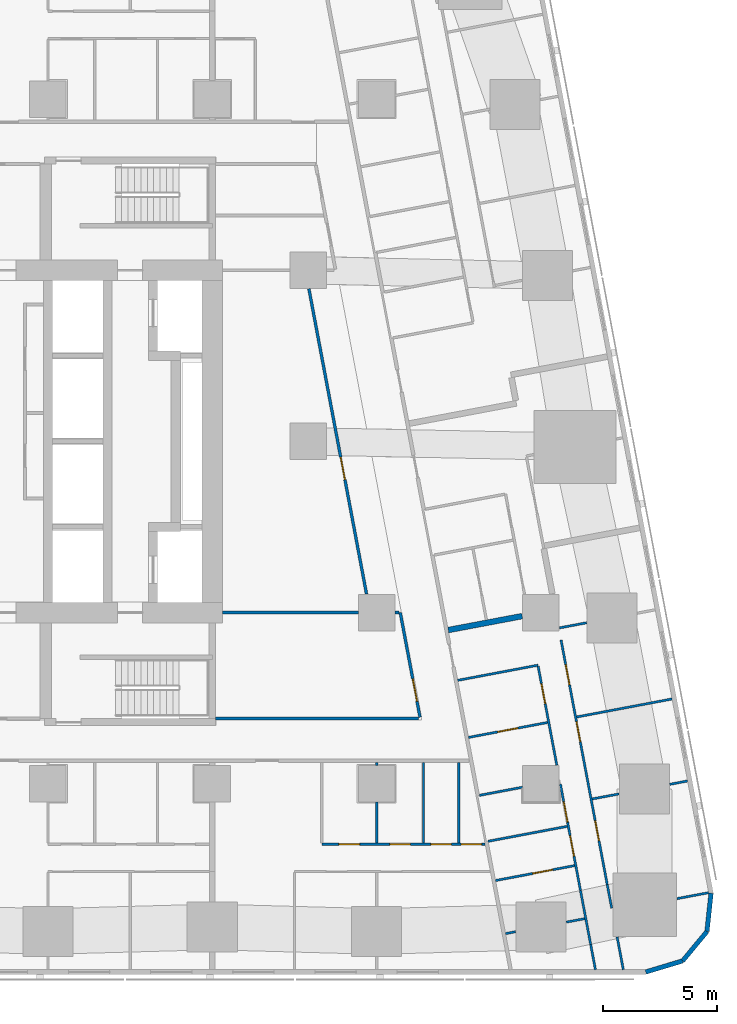
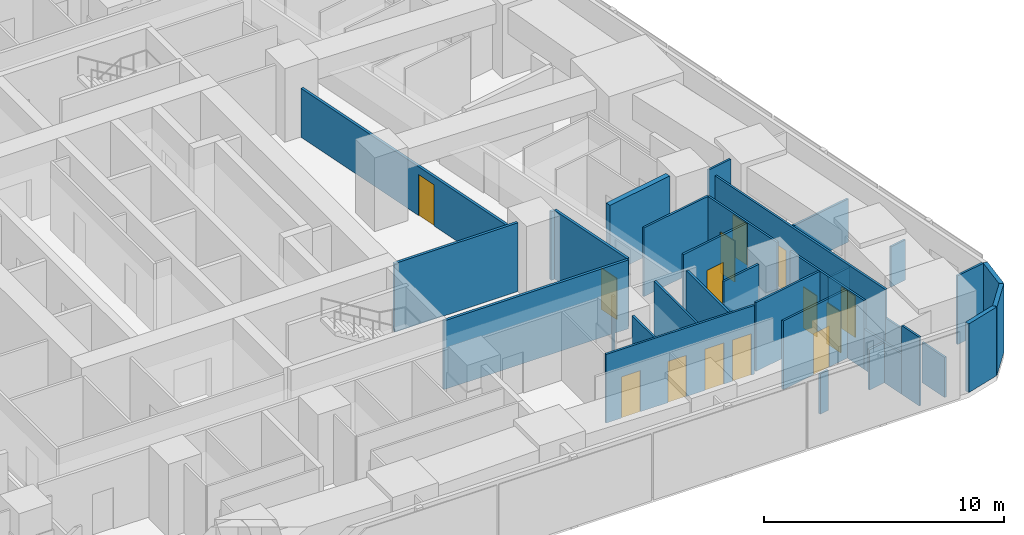
# One storey, part 7 of 17: 33 walls, 14 doors, 14 openings.
"""IFC4 building model written with IfcOpenShell, lengths in metres."""

from ifc_helpers import new_model, si_unit, direction, frame, frame_2d, origin, place, context, subcontext, project, spatial, rectangle, extrude, material, layer, layer_set, type_object, element, fill, save


model = new_model("IFC4")

# Units and contexts
model_context = context("Model", 3, precision=1e-05, world=origin(), true_north=direction((0.0, 1.0)))
body_context = subcontext(model_context, "Body", "Model", "MODEL_VIEW")
ifc_project = project(units=[si_unit("LENGTHUNIT", "METRE"), si_unit("AREAUNIT", "SQUARE_METRE"), si_unit("VOLUMEUNIT", "CUBIC_METRE"), si_unit("PLANEANGLEUNIT", "RADIAN"), si_unit("MASSUNIT", "GRAM", prefix="KILO")], contexts=[model_context])

# Site, building, storey
site_placement = place(None, origin())
site = spatial("IfcSite", under=ifc_project, at=site_placement, CompositionType="ELEMENT")
building_placement = place(site_placement, origin())
building = spatial("IfcBuilding", under=site, at=building_placement, Name="Sheger Commons Tower", CompositionType="ELEMENT")
storey_placement = place(building_placement, frame((0.0, 0.0, 111.64990234375)))
storey = spatial("IfcBuildingStorey", under=building, at=storey_placement, Name="L28", CompositionType="ELEMENT", Elevation=111.64990234375)

# Walls
ifc_material_1 = material(Name="Dense concrete block masonry, plastered both sides (separating wall between flats)", Category="masonry")
ifc_layer_1 = layer(ifc_material_1, 0.25)
ifc_layer_set_1 = layer_set([ifc_layer_1], Name="DEMISING WALL 250")
wall_type_1 = type_object("IfcWallType", Name="DEMISING WALL 250", PredefinedType="SOLIDWALL", material=ifc_layer_set_1)
wall_1_placement = place(storey_placement, frame((42.3759765625, 14.843994140625, 0.0), z_axis=(0.0, 0.0, 1.0), x_axis=(-0.982610440948, -0.18567908159, 0.0)))
element("IfcWall", 1, at=wall_1_placement, inside=storey, type_object=wall_type_1, Name="Demising wall L28", PredefinedType="SOLIDWALL", context=body_context, shape_type="SweptSolid", body=[
    extrude(rectangle(XDim=3.29638671875, YDim=0.25, at=frame_2d((1.648193359375, 0.0))), origin(), (0.0, 0.0, 1.0), 3.5),
])
ifc_material_2 = material(Name="Rendered concrete block masonry, dark grey", Category="masonry")
ifc_layer_2 = layer(ifc_material_2, 0.199951171875)
ifc_layer_set_2 = layer_set([ifc_layer_2], Name="FACADE WALL 200")
wall_type_2 = type_object("IfcWallType", Name="FACADE WALL 200", PredefinedType="SOLIDWALL", material=ifc_layer_set_2)
wall_2_placement = place(storey_placement, frame((47.791015625, -0.75, 0.0), z_axis=(0.0, 0.0, 1.0), x_axis=(0.957455232626, 0.288581838509, 0.0)))
element("IfcWall", 2, at=wall_2_placement, inside=storey, type_object=wall_type_2, Name="Facade wall L28", PredefinedType="SOLIDWALL", context=body_context, shape_type="SweptSolid", body=[
    extrude(rectangle(XDim=1.687744140625, YDim=0.199951171875, at=frame_2d((0.84375, 0.0))), origin(), (0.0, 0.0, 1.0), 3.5),
])
wall_3_placement = place(storey_placement, frame((49.406982421875, -0.262939453125, 0.0), z_axis=(0.0, 0.0, 1.0), x_axis=(0.638042593423, 0.770001070764, 0.0)))
element("IfcWall", 3, at=wall_3_placement, inside=storey, type_object=wall_type_2, Name="Facade wall L28", PredefinedType="SOLIDWALL", context=body_context, shape_type="SweptSolid", body=[
    extrude(rectangle(XDim=1.672607421875, YDim=0.199951171875, at=frame_2d((0.83642578125, 0.0))), origin(), (0.0, 0.0, 1.0), 3.5),
])
wall_4_placement = place(storey_placement, frame((50.47412109375, 1.02490234375, 0.0), z_axis=(0.0, 0.0, 1.0), x_axis=(0.106047815515, 0.994361031429, 0.0)))
element("IfcWall", 4, at=wall_4_placement, inside=storey, type_object=wall_type_2, Name="Facade wall L28", PredefinedType="SOLIDWALL", context=body_context, shape_type="SweptSolid", body=[
    extrude(rectangle(XDim=1.6875, YDim=0.199951171875, at=frame_2d((0.84375, 0.0))), origin(), (0.0, 0.0, 1.0), 3.5),
])

# Wall, openings, doors
ifc_material_3 = material(Name="Gypsum board on steel studs", Category="steel")
ifc_layer_3 = layer(ifc_material_3, 0.10009765625)
ifc_layer_set_3 = layer_set([ifc_layer_3], Name="PARTITION 100")
wall_type_3 = type_object("IfcWallType", Name="PARTITION 100", PredefinedType="PARTITIONING", material=ifc_layer_set_3)
wall_5_placement = place(storey_placement, frame((40.7470703125, 4.85009765625, 0.0), z_axis=(0.0, 0.0, 1.0), x_axis=(-1.0, 0.0, 0.0)))
wall_5 = element("IfcWall", 5, at=wall_5_placement, inside=storey, type_object=wall_type_3, Name="Partition L28", PredefinedType="PARTITIONING", context=body_context, shape_type="SweptSolid", body=[
    extrude(rectangle(XDim=7.14794921875, YDim=0.10009765625, at=frame_2d((3.573974609375, 0.0))), origin(), (0.0, 0.0, 1.0), 3.5),
])
opening_1_placement = place(wall_5_placement, frame((5.498046875, 0.0, 0.0)))
opening_1 = element("IfcOpeningElement", 6, at=opening_1_placement, cuts=wall_5, Name="Opening D2", PredefinedType="OPENING", context=body_context, shape_type="SweptSolid", body=[
    extrude(rectangle(XDim=0.89990234375, YDim=2.10009765625, at=frame_2d((0.449951171875, 1.050048828125))), frame((0.0, 0.06005859375, 0.0), z_axis=(0.0, -1.0, 0.0), x_axis=(1.0, 0.0, 0.0)), (0.0, 0.0, 1.0), 0.1201171875),
])
opening_2_placement = place(wall_5_placement, frame((3.27197265625, 0.0, 0.0)))
opening_2 = element("IfcOpeningElement", 7, at=opening_2_placement, cuts=wall_5, Name="Opening D2", PredefinedType="OPENING", context=body_context, shape_type="SweptSolid", body=[
    extrude(rectangle(XDim=0.89990234375, YDim=2.10009765625, at=frame_2d((0.449951171875, 1.050048828125))), frame((0.0, 0.06005859375, 0.0), z_axis=(0.0, -1.0, 0.0), x_axis=(1.0, 0.0, 0.0)), (0.0, 0.0, 1.0), 0.1201171875),
])
opening_3_placement = place(wall_5_placement, frame((0.14990234375, 0.0, 0.0)))
opening_3 = element("IfcOpeningElement", 8, at=opening_3_placement, cuts=wall_5, Name="Opening D2", PredefinedType="OPENING", context=body_context, shape_type="SweptSolid", body=[
    extrude(rectangle(XDim=0.89990234375, YDim=2.10009765625, at=frame_2d((0.449951171875, 1.050048828125))), frame((0.0, 0.06005859375, 0.0), z_axis=(0.0, -1.0, 0.0), x_axis=(1.0, 0.0, 0.0)), (0.0, 0.0, 1.0), 0.1201171875),
])
opening_4_placement = place(wall_5_placement, frame((1.471923828125, 0.0, 0.0)))
opening_4 = element("IfcOpeningElement", 9, at=opening_4_placement, cuts=wall_5, Name="Opening D2", PredefinedType="OPENING", context=body_context, shape_type="SweptSolid", body=[
    extrude(rectangle(XDim=0.89990234375, YDim=2.10009765625, at=frame_2d((0.449951171875, 1.050048828125))), frame((0.0, 0.06005859375, 0.0), z_axis=(0.0, -1.0, 0.0), x_axis=(1.0, 0.0, 0.0)), (0.0, 0.0, 1.0), 0.1201171875),
])
ifc_material_4 = material(Name="Timber door set", Category="wood")
door_type_1 = type_object("IfcDoorType", Name="INTERNAL DOOR 900x2100", OperationType="NOTDEFINED", PredefinedType="DOOR", material=ifc_material_4)
door_1_placement = place(opening_1_placement, origin())
door_1 = element("IfcDoor", 10, at=door_1_placement, inside=storey, type_object=door_type_1, Name="Laundry room door", OperationType="SINGLE_SWING_LEFT", OverallHeight=2.10009765625, OverallWidth=0.89990234375, PredefinedType="DOOR", context=body_context, shape_type="SweptSolid", body=[
    extrude(rectangle(XDim=0.89990234375, YDim=2.10009765625, at=frame_2d((0.449951171875, 1.050048828125))), frame((0.0, 0.02490234375, 0.0), z_axis=(0.0, -1.0, 0.0), x_axis=(1.0, 0.0, 0.0)), (0.0, 0.0, 1.0), 0.050048828125),
])
fill(opening_1, door_1)
door_2_placement = place(opening_2_placement, origin())
door_2 = element("IfcDoor", 11, at=door_2_placement, inside=storey, type_object=door_type_1, Name="Bathroom door", OperationType="SINGLE_SWING_RIGHT", OverallHeight=2.10009765625, OverallWidth=0.89990234375, PredefinedType="DOOR", context=body_context, shape_type="SweptSolid", body=[
    extrude(rectangle(XDim=0.89990234375, YDim=2.10009765625, at=frame_2d((0.449951171875, 1.050048828125))), frame((0.0, 0.02490234375, 0.0), z_axis=(0.0, -1.0, 0.0), x_axis=(1.0, 0.0, 0.0)), (0.0, 0.0, 1.0), 0.050048828125),
])
fill(opening_2, door_2)
door_3_placement = place(opening_3_placement, origin())
door_3 = element("IfcDoor", 12, at=door_3_placement, inside=storey, type_object=door_type_1, Name="Laundry room door", OperationType="SINGLE_SWING_RIGHT", OverallHeight=2.10009765625, OverallWidth=0.89990234375, PredefinedType="DOOR", context=body_context, shape_type="SweptSolid", body=[
    extrude(rectangle(XDim=0.89990234375, YDim=2.10009765625, at=frame_2d((0.449951171875, 1.050048828125))), frame((0.0, 0.02490234375, 0.0), z_axis=(0.0, -1.0, 0.0), x_axis=(1.0, 0.0, 0.0)), (0.0, 0.0, 1.0), 0.050048828125),
])
fill(opening_3, door_3)
door_4_placement = place(opening_4_placement, origin())
door_4 = element("IfcDoor", 13, at=door_4_placement, inside=storey, type_object=door_type_1, Name="Store door", OperationType="SINGLE_SWING_LEFT", OverallHeight=2.10009765625, OverallWidth=0.89990234375, PredefinedType="DOOR", context=body_context, shape_type="SweptSolid", body=[
    extrude(rectangle(XDim=0.89990234375, YDim=2.10009765625, at=frame_2d((0.449951171875, 1.050048828125))), frame((0.0, 0.02490234375, 0.0), z_axis=(0.0, -1.0, 0.0), x_axis=(1.0, 0.0, 0.0)), (0.0, 0.0, 1.0), 0.050048828125),
])
fill(opening_4, door_4)

# Walls
wall_6_placement = place(storey_placement, frame((36.0, 4.89990234375, 0.0), z_axis=(0.0, 0.0, 1.0), x_axis=(0.0, 1.0, 0.0)))
element("IfcWall", 14, at=wall_6_placement, inside=storey, type_object=wall_type_3, Name="Partition L28", PredefinedType="PARTITIONING", context=body_context, shape_type="SweptSolid", body=[
    extrude(rectangle(XDim=1.799072265625, YDim=0.10009765625, at=frame_2d((0.8994140625, 0.0))), origin(), (0.0, 0.0, 1.0), 3.5),
])
wall_7_placement = place(storey_placement, frame((36.0, 8.301025390625, 0.0), z_axis=(0.0, 0.0, 1.0), x_axis=(0.0, 1.0, 0.0)))
element("IfcWall", 15, at=wall_7_placement, inside=storey, type_object=wall_type_3, Name="Partition L28", PredefinedType="PARTITIONING", context=body_context, shape_type="SweptSolid", body=[
    extrude(rectangle(XDim=0.1240234375, YDim=0.10009765625, at=frame_2d((0.06201171875, 0.0))), origin(), (0.0, 0.0, 1.0), 3.5),
])
for number, where, z_axis, x_axis, name in (
    (16, (39.60009765625, 4.89990234375, 0.0), (0.0, 0.0, 1.0), (0.0, 1.0, 0.0), "Partition L28"),
    (17, (38.050048828125, 4.89990234375, 0.0), (0.0, 0.0, 1.0), (0.0, 1.0, 0.0), "Partition L28"),
):
    element("IfcWall", number, at=place(storey_placement, frame(where, z_axis=z_axis, x_axis=x_axis)), inside=storey, type_object=wall_type_3, Name=name, PredefinedType="PARTITIONING", context=body_context, shape_type="SweptSolid", body=[
        extrude(rectangle(XDim=3.525146484375, YDim=0.10009765625, at=frame_2d((1.7626953125, 0.0))), origin(), (0.0, 0.0, 1.0), 3.5),
    ])

# Wall, openings, doors
wall_8_placement = place(storey_placement, frame((44.080078125, 13.7939453125, 0.0), z_axis=(0.0, 0.0, 1.0), x_axis=(0.185608455357, -0.982623784212, 0.0)))
wall_8 = element("IfcWall", 18, at=wall_8_placement, inside=storey, type_object=wall_type_3, Name="Partition L28", PredefinedType="PARTITIONING", context=body_context, shape_type="SweptSolid", body=[
    extrude(rectangle(XDim=10.909423828125, YDim=0.10009765625, at=frame_2d((5.45458984375, 0.0))), origin(), (0.0, 0.0, 1.0), 3.5),
])
opening_5_placement = place(wall_8_placement, frame((1.093994140625, 0.0, 0.0)))
opening_5 = element("IfcOpeningElement", 19, at=opening_5_placement, cuts=wall_8, Name="Opening D2", PredefinedType="OPENING", context=body_context, shape_type="SweptSolid", body=[
    extrude(rectangle(XDim=0.89990234375, YDim=2.10009765625, at=frame_2d((0.449951171875, 1.050048828125))), frame((0.0, 0.06005859375, 0.0), z_axis=(0.0, -1.0, 0.0), x_axis=(1.0, 0.0, 0.0)), (0.0, 0.0, 1.0), 0.1201171875),
])
opening_6_placement = place(wall_8_placement, frame((3.638916015625, 0.0, 0.0)))
opening_6 = element("IfcOpeningElement", 20, at=opening_6_placement, cuts=wall_8, Name="Opening D2", PredefinedType="OPENING", context=body_context, shape_type="SweptSolid", body=[
    extrude(rectangle(XDim=0.89990234375, YDim=2.10009765625, at=frame_2d((0.449951171875, 1.050048828125))), frame((0.0, 0.06005859375, 0.0), z_axis=(0.0, -1.0, 0.0), x_axis=(1.0, 0.0, 0.0)), (0.0, 0.0, 1.0), 0.1201171875),
])
opening_7_placement = place(wall_8_placement, frame((8.050048828125, 0.0, 0.0)))
opening_7 = element("IfcOpeningElement", 21, at=opening_7_placement, cuts=wall_8, Name="Opening D2", PredefinedType="OPENING", context=body_context, shape_type="SweptSolid", body=[
    extrude(rectangle(XDim=0.89990234375, YDim=2.10009765625, at=frame_2d((0.449951171875, 1.050048828125))), frame((0.0, 0.06005859375, 0.0), z_axis=(0.0, -1.0, 0.0), x_axis=(1.0, 0.0, 0.0)), (0.0, 0.0, 1.0), 0.1201171875),
])
door_5_placement = place(opening_5_placement, origin())
door_5 = element("IfcDoor", 22, at=door_5_placement, inside=storey, type_object=door_type_1, Name="Main bedroom door", OperationType="SINGLE_SWING_LEFT", OverallHeight=2.10009765625, OverallWidth=0.89990234375, PredefinedType="DOOR", context=body_context, shape_type="SweptSolid", body=[
    extrude(rectangle(XDim=0.89990234375, YDim=2.10009765625, at=frame_2d((0.449951171875, 1.050048828125))), frame((0.0, 0.02490234375, 0.0), z_axis=(0.0, -1.0, 0.0), x_axis=(1.0, 0.0, 0.0)), (0.0, 0.0, 1.0), 0.050048828125),
])
fill(opening_5, door_5)
door_6_placement = place(opening_6_placement, origin())
door_6 = element("IfcDoor", 23, at=door_6_placement, inside=storey, type_object=door_type_1, Name="Bedroom 2 door", OperationType="SINGLE_SWING_LEFT", OverallHeight=2.10009765625, OverallWidth=0.89990234375, PredefinedType="DOOR", context=body_context, shape_type="SweptSolid", body=[
    extrude(rectangle(XDim=0.89990234375, YDim=2.10009765625, at=frame_2d((0.449951171875, 1.050048828125))), frame((0.0, 0.02490234375, 0.0), z_axis=(0.0, -1.0, 0.0), x_axis=(1.0, 0.0, 0.0)), (0.0, 0.0, 1.0), 0.050048828125),
])
fill(opening_6, door_6)
door_7_placement = place(opening_7_placement, origin())
door_7 = element("IfcDoor", 24, at=door_7_placement, inside=storey, type_object=door_type_1, Name="Bedroom 3 door", OperationType="SINGLE_SWING_LEFT", OverallHeight=2.10009765625, OverallWidth=0.89990234375, PredefinedType="DOOR", context=body_context, shape_type="SweptSolid", body=[
    extrude(rectangle(XDim=0.89990234375, YDim=2.10009765625, at=frame_2d((0.449951171875, 1.050048828125))), frame((0.0, 0.02490234375, 0.0), z_axis=(0.0, -1.0, 0.0), x_axis=(1.0, 0.0, 0.0)), (0.0, 0.0, 1.0), 0.050048828125),
])
fill(opening_7, door_7)

# Walls
wall_9_placement = place(storey_placement, frame((46.10498046875, 3.073974609375, 0.0), z_axis=(0.0, 0.0, 1.0), x_axis=(0.185727077805, -0.982601370124, 0.0)))
element("IfcWall", 25, at=wall_9_placement, inside=storey, type_object=wall_type_3, Name="Partition L28", PredefinedType="PARTITIONING", context=body_context, shape_type="SweptSolid", body=[
    extrude(rectangle(XDim=1.044921875, YDim=0.10009765625, at=frame_2d((0.5224609375, 0.0))), origin(), (0.0, 0.0, 1.0), 2.050048828125),
])
wall_10_placement = place(storey_placement, frame((46.537109375, 0.787109375, 0.0), z_axis=(0.0, 0.0, 1.0), x_axis=(0.1853166059, -0.982678866964, 0.0)))
element("IfcWall", 26, at=wall_10_placement, inside=storey, type_object=wall_type_3, Name="Partition L28", PredefinedType="PARTITIONING", context=body_context, shape_type="SweptSolid", body=[
    extrude(rectangle(XDim=1.46240234375, YDim=0.10009765625, at=frame_2d((0.731201171875, 0.0))), origin(), (0.0, 0.0, 1.0), 2.050048828125),
])

# Wall, opening, door
wall_11_placement = place(storey_placement, frame((43.075927734375, 12.64404296875, 0.0), z_axis=(0.0, 0.0, 1.0), x_axis=(0.185705350074, -0.982605476757, 0.0)))
wall_11 = element("IfcWall", 27, at=wall_11_placement, inside=storey, type_object=wall_type_3, Name="Partition L28", PredefinedType="PARTITIONING", context=body_context, shape_type="SweptSolid", body=[
    extrude(rectangle(XDim=4.41064453125, YDim=0.10009765625, at=frame_2d((2.205322265625, 0.0))), origin(), (0.0, 0.0, 1.0), 3.5),
])
opening_8_placement = place(wall_11_placement, frame((0.77294921875, 0.0, 0.0)))
opening_8 = element("IfcOpeningElement", 28, at=opening_8_placement, cuts=wall_11, Name="Opening D2", PredefinedType="OPENING", context=body_context, shape_type="SweptSolid", body=[
    extrude(rectangle(XDim=0.89990234375, YDim=2.10009765625, at=frame_2d((0.449951171875, 1.050048828125))), frame((0.0, 0.06005859375, 0.0), z_axis=(0.0, -1.0, 0.0), x_axis=(1.0, 0.0, 0.0)), (0.0, 0.0, 1.0), 0.1201171875),
])
door_8_placement = place(opening_8_placement, origin())
door_8 = element("IfcDoor", 29, at=door_8_placement, inside=storey, type_object=door_type_1, Name="Store and laundry door", OperationType="SINGLE_SWING_RIGHT", OverallHeight=2.10009765625, OverallWidth=0.89990234375, PredefinedType="DOOR", context=body_context, shape_type="SweptSolid", body=[
    extrude(rectangle(XDim=0.89990234375, YDim=2.10009765625, at=frame_2d((0.449951171875, 1.050048828125))), frame((0.0, 0.02490234375, 0.0), z_axis=(0.0, -1.0, 0.0), x_axis=(1.0, 0.0, 0.0)), (0.0, 0.0, 1.0), 0.050048828125),
])
fill(opening_8, door_8)

# Wall, openings, doors
wall_12_placement = place(storey_placement, frame((44.049072265625, 7.490966796875, 0.0), z_axis=(0.0, 0.0, 1.0), x_axis=(0.185628828844, -0.982619935632, 0.0)))
wall_12 = element("IfcWall", 30, at=wall_12_placement, inside=storey, type_object=wall_type_3, Name="Partition L28", PredefinedType="PARTITIONING", context=body_context, shape_type="SweptSolid", body=[
    extrude(rectangle(XDim=4.75048828125, YDim=0.10009765625, at=frame_2d((2.375244140625, 0.0))), origin(), (0.0, 0.0, 1.0), 3.5),
])
opening_9_placement = place(wall_12_placement, frame((0.800048828125, 0.0, 0.0)))
opening_9 = element("IfcOpeningElement", 31, at=opening_9_placement, cuts=wall_12, Name="Opening D2", PredefinedType="OPENING", context=body_context, shape_type="SweptSolid", body=[
    extrude(rectangle(XDim=0.89990234375, YDim=2.10009765625, at=frame_2d((0.449951171875, 1.050048828125))), frame((0.0, 0.06005859375, 0.0), z_axis=(0.0, -1.0, 0.0), x_axis=(1.0, 0.0, 0.0)), (0.0, 0.0, 1.0), 0.1201171875),
])
opening_10_placement = place(wall_12_placement, frame((2.31591796875, 0.0, 0.0)))
opening_10 = element("IfcOpeningElement", 32, at=opening_10_placement, cuts=wall_12, Name="Opening D2", PredefinedType="OPENING", context=body_context, shape_type="SweptSolid", body=[
    extrude(rectangle(XDim=0.89990234375, YDim=2.10009765625, at=frame_2d((0.449951171875, 1.050048828125))), frame((0.0, 0.06005859375, 0.0), z_axis=(0.0, -1.0, 0.0), x_axis=(1.0, 0.0, 0.0)), (0.0, 0.0, 1.0), 0.1201171875),
])
door_9_placement = place(opening_9_placement, origin())
door_9 = element("IfcDoor", 33, at=door_9_placement, inside=storey, type_object=door_type_1, Name="Bathroom door", OperationType="SINGLE_SWING_LEFT", OverallHeight=2.10009765625, OverallWidth=0.89990234375, PredefinedType="DOOR", context=body_context, shape_type="SweptSolid", body=[
    extrude(rectangle(XDim=0.89990234375, YDim=2.10009765625, at=frame_2d((0.449951171875, 1.050048828125))), frame((0.0, 0.02490234375, 0.0), z_axis=(0.0, -1.0, 0.0), x_axis=(1.0, 0.0, 0.0)), (0.0, 0.0, 1.0), 0.050048828125),
])
fill(opening_9, door_9)
door_10_placement = place(opening_10_placement, origin())
door_10 = element("IfcDoor", 34, at=door_10_placement, inside=storey, type_object=door_type_1, Name="Store door", OperationType="SINGLE_SWING_LEFT", OverallHeight=2.10009765625, OverallWidth=0.89990234375, PredefinedType="DOOR", context=body_context, shape_type="SweptSolid", body=[
    extrude(rectangle(XDim=0.89990234375, YDim=2.10009765625, at=frame_2d((0.449951171875, 1.050048828125))), frame((0.0, 0.02490234375, 0.0), z_axis=(0.0, -1.0, 0.0), x_axis=(1.0, 0.0, 0.0)), (0.0, 0.0, 1.0), 0.050048828125),
])
fill(opening_10, door_10)

# Walls
wall_13_placement = place(storey_placement, frame((44.930908203125, 2.822998046875, 0.0), z_axis=(0.0, 0.0, 1.0), x_axis=(0.185631845838, -0.982619365681, 0.0)))
element("IfcWall", 35, at=wall_13_placement, inside=storey, type_object=wall_type_3, Name="Partition L28", PredefinedType="PARTITIONING", context=body_context, shape_type="SweptSolid", body=[
    extrude(rectangle(XDim=2.40283203125, YDim=0.10009765625, at=frame_2d((1.201416015625, 0.0))), origin(), (0.0, 0.0, 1.0), 2.050048828125),
])
wall_14_placement = place(storey_placement, frame((45.376953125, 0.4619140625, 0.0), z_axis=(0.0, 0.0, 1.0), x_axis=(0.185565106588, -0.9826319714, 0.0)))
element("IfcWall", 36, at=wall_14_placement, inside=storey, type_object=wall_type_3, Name="Partition L28", PredefinedType="PARTITIONING", context=body_context, shape_type="SweptSolid", body=[
    extrude(rectangle(XDim=1.13134765625, YDim=0.10009765625, at=frame_2d((0.565673828125, 0.0))), origin(), (0.0, 0.0, 1.0), 3.5),
])
wall_15_placement = place(storey_placement, frame((45.2041015625, 14.552978515625, 0.0), z_axis=(0.0, 0.0, 1.0), x_axis=(-0.982545444659, -0.186022711461, 0.0)))
element("IfcWall", 37, at=wall_15_placement, inside=storey, type_object=wall_type_3, Name="Partition L28", PredefinedType="PARTITIONING", context=body_context, shape_type="SweptSolid", body=[
    extrude(rectangle(XDim=1.21533203125, YDim=0.10009765625, at=frame_2d((0.607666015625, 0.0))), origin(), (0.0, 0.0, 1.0), 3.5),
])
wall_16_placement = place(storey_placement, frame((48.943115234375, 11.212890625, 0.0), z_axis=(0.0, 0.0, 1.0), x_axis=(-0.982623519589, -0.185609856287, 0.0)))
element("IfcWall", 38, at=wall_16_placement, inside=storey, type_object=wall_type_3, Name="Partition L28", PredefinedType="PARTITIONING", context=body_context, shape_type="SweptSolid", body=[
    extrude(rectangle(XDim=4.249755859375, YDim=0.10009765625, at=frame_2d((2.125, 0.0))), origin(), (0.0, 0.0, 1.0), 2.2001953125),
])
wall_17_placement = place(storey_placement, frame((49.6220703125, 7.6201171875, 0.0), z_axis=(0.0, 0.0, 1.0), x_axis=(-0.982512656401, -0.186195810938, 0.0)))
element("IfcWall", 39, at=wall_17_placement, inside=storey, type_object=wall_type_3, Name="Partition L28", PredefinedType="PARTITIONING", context=body_context, shape_type="SweptSolid", body=[
    extrude(rectangle(XDim=0.7958984375, YDim=0.10009765625, at=frame_2d((0.39794921875, 0.0))), origin(), (0.0, 0.0, 1.0), 2.050048828125),
])
wall_18_placement = place(storey_placement, frame((46.6201171875, 7.052978515625, 0.0), z_axis=(0.0, 0.0, 1.0), x_axis=(-0.982749355621, -0.18494243436, 0.0)))
element("IfcWall", 40, at=wall_18_placement, inside=storey, type_object=wall_type_3, Name="Partition L28", PredefinedType="PARTITIONING", context=body_context, shape_type="SweptSolid", body=[
    extrude(rectangle(XDim=1.194580078125, YDim=0.10009765625, at=frame_2d((0.59716796875, 0.0))), origin(), (0.0, 0.0, 1.0), 2.050048828125),
])
wall_19_placement = place(storey_placement, frame((50.547119140625, 2.72607421875, 0.0), z_axis=(0.0, 0.0, 1.0), x_axis=(-0.982680053146, -0.185310315822, 0.0)))
element("IfcWall", 41, at=wall_19_placement, inside=storey, type_object=wall_type_3, Name="Partition L28", PredefinedType="PARTITIONING", context=body_context, shape_type="SweptSolid", body=[
    extrude(rectangle(XDim=1.41357421875, YDim=0.10009765625, at=frame_2d((0.706787109375, 0.0))), origin(), (0.0, 0.0, 1.0), 3.5),
])
wall_20_placement = place(storey_placement, frame((43.06689453125, 12.693115234375, 0.0), z_axis=(0.0, 0.0, 1.0), x_axis=(-0.982598214409, -0.185743772548, 0.0)))
element("IfcWall", 42, at=wall_20_placement, inside=storey, type_object=wall_type_3, Name="Partition L28", PredefinedType="PARTITIONING", context=body_context, shape_type="SweptSolid", body=[
    extrude(rectangle(XDim=3.5751953125, YDim=0.10009765625, at=frame_2d((1.78759765625, 0.0))), origin(), (0.0, 0.0, 1.0), 3.5),
])

# Wall, opening, door
wall_21_placement = place(storey_placement, frame((43.489990234375, 10.18310546875, 0.0), z_axis=(0.0, 0.0, 1.0), x_axis=(-0.982588017646, -0.185797706064, 0.0)))
wall_21 = element("IfcWall", 43, at=wall_21_placement, inside=storey, type_object=wall_type_3, Name="Partition L28", PredefinedType="PARTITIONING", context=body_context, shape_type="SweptSolid", body=[
    extrude(rectangle(XDim=3.525390625, YDim=0.10009765625, at=frame_2d((1.7626953125, 0.0))), origin(), (0.0, 0.0, 1.0), 3.5),
])
opening_11_placement = place(wall_21_placement, frame((1.324951171875, 0.0, 0.0)))
opening_11 = element("IfcOpeningElement", 44, at=opening_11_placement, cuts=wall_21, Name="Opening D2", PredefinedType="OPENING", context=body_context, shape_type="SweptSolid", body=[
    extrude(rectangle(XDim=0.89990234375, YDim=2.10009765625, at=frame_2d((0.449951171875, 1.050048828125))), frame((0.0, 0.06005859375, 0.0), z_axis=(0.0, -1.0, 0.0), x_axis=(1.0, 0.0, 0.0)), (0.0, 0.0, 1.0), 0.1201171875),
])
door_11_placement = place(opening_11_placement, origin())
door_11 = element("IfcDoor", 45, at=door_11_placement, inside=storey, type_object=door_type_1, Name="Store door", OperationType="SINGLE_SWING_LEFT", OverallHeight=2.10009765625, OverallWidth=0.89990234375, PredefinedType="DOOR", context=body_context, shape_type="SweptSolid", body=[
    extrude(rectangle(XDim=0.89990234375, YDim=2.10009765625, at=frame_2d((0.449951171875, 1.050048828125))), frame((0.0, 0.02490234375, 0.0), z_axis=(0.0, -1.0, 0.0), x_axis=(1.0, 0.0, 0.0)), (0.0, 0.0, 1.0), 0.050048828125),
])
fill(opening_11, door_11)

# Walls
wall_22_placement = place(storey_placement, frame((42.389892578125, 7.346923828125, 0.0), z_axis=(0.0, 0.0, 1.0), x_axis=(-0.982633642782, -0.185556255819, 0.0)))
element("IfcWall", 46, at=wall_22_placement, inside=storey, type_object=wall_type_3, Name="Partition L28", PredefinedType="PARTITIONING", context=body_context, shape_type="SweptSolid", body=[
    extrude(rectangle(XDim=1.918212890625, YDim=0.10009765625, at=frame_2d((0.958984375, 0.0))), origin(), (0.0, 0.0, 1.0), 3.5),
])
wall_23_placement = place(storey_placement, frame((45.114013671875, 1.5869140625, 0.0), z_axis=(0.0, 0.0, 1.0), x_axis=(-0.982624706348, -0.185603573443, 0.0)))
element("IfcWall", 47, at=wall_23_placement, inside=storey, type_object=wall_type_3, Name="Partition L28", PredefinedType="PARTITIONING", context=body_context, shape_type="SweptSolid", body=[
    extrude(rectangle(XDim=0.818115234375, YDim=0.10009765625, at=frame_2d((0.4091796875, 0.0))), origin(), (0.0, 0.0, 1.0), 2.050048828125),
])
wall_24_placement = place(storey_placement, frame((42.090087890625, 1.014892578125, 0.0), z_axis=(0.0, 0.0, 1.0), x_axis=(-0.982680384557, -0.185308558375, 0.0)))
element("IfcWall", 48, at=wall_24_placement, inside=storey, type_object=wall_type_3, Name="Partition L28", PredefinedType="PARTITIONING", context=body_context, shape_type="SweptSolid", body=[
    extrude(rectangle(XDim=0.447998046875, YDim=0.10009765625, at=frame_2d((0.22412109375, 0.0))), origin(), (0.0, 0.0, 1.0), 2.050048828125),
])
wall_25_placement = place(storey_placement, frame((44.35009765625, 5.631103515625, 0.0), z_axis=(0.0, 0.0, 1.0), x_axis=(-0.982638553676, -0.185530247748, 0.0)))
element("IfcWall", 49, at=wall_25_placement, inside=storey, type_object=wall_type_3, Name="Partition L28", PredefinedType="PARTITIONING", context=body_context, shape_type="SweptSolid", body=[
    extrude(rectangle(XDim=3.525390625, YDim=0.10009765625, at=frame_2d((1.7626953125, 0.0))), origin(), (0.0, 0.0, 1.0), 3.5),
])

# Wall, opening, door
wall_26_placement = place(storey_placement, frame((41.2099609375, 3.258056640625, 0.0), z_axis=(0.0, 0.0, 1.0), x_axis=(0.982638553676, 0.185530247748, 0.0)))
wall_26 = element("IfcWall", 50, at=wall_26_placement, inside=storey, type_object=wall_type_3, Name="Partition L28", PredefinedType="PARTITIONING", context=body_context, shape_type="SweptSolid", body=[
    extrude(rectangle(XDim=3.525390625, YDim=0.10009765625, at=frame_2d((1.7626953125, 0.0))), origin(), (0.0, 0.0, 1.0), 3.5),
])
opening_12_placement = place(wall_26_placement, frame((1.64990234375, 0.0, 0.0)))
opening_12 = element("IfcOpeningElement", 51, at=opening_12_placement, cuts=wall_26, Name="Opening D2", PredefinedType="OPENING", context=body_context, shape_type="SweptSolid", body=[
    extrude(rectangle(XDim=0.89990234375, YDim=2.10009765625, at=frame_2d((0.449951171875, 1.050048828125))), frame((0.0, 0.06005859375, 0.0), z_axis=(0.0, -1.0, 0.0), x_axis=(1.0, 0.0, 0.0)), (0.0, 0.0, 1.0), 0.1201171875),
])
door_12_placement = place(opening_12_placement, origin())
door_12 = element("IfcDoor", 52, at=door_12_placement, inside=storey, type_object=door_type_1, Name="Store door", OperationType="SINGLE_SWING_RIGHT", OverallHeight=2.10009765625, OverallWidth=0.89990234375, PredefinedType="DOOR", context=body_context, shape_type="SweptSolid", body=[
    extrude(rectangle(XDim=0.89990234375, YDim=2.10009765625, at=frame_2d((0.449951171875, 1.050048828125))), frame((0.0, 0.02490234375, 0.0), z_axis=(0.0, -1.0, 0.0), x_axis=(1.0, 0.0, 0.0)), (0.0, 0.0, 1.0), 0.050048828125),
])
fill(opening_12, door_12)

# Wall
ifc_material_5 = material(Name="Gypsum board on steel studs, two layers each side, fire rated", Category="steel")
ifc_layer_4 = layer(ifc_material_5, 0.125)
ifc_layer_set_4 = layer_set([ifc_layer_4], Name="SERVICE WALL 125")
wall_type_4 = type_object("IfcWallType", Name="SERVICE WALL 125", PredefinedType="PARTITIONING", material=ifc_layer_set_4)
wall_27_placement = place(storey_placement, frame((28.949951171875, 10.35009765625, 0.0), z_axis=(0.0, 0.0, 1.0), x_axis=(1.0, 0.0, 0.0)))
element("IfcWall", 53, at=wall_27_placement, inside=storey, type_object=wall_type_4, Name="Service room wall L28", PredefinedType="PARTITIONING", context=body_context, shape_type="SweptSolid", body=[
    extrude(rectangle(XDim=8.885986328125, YDim=0.125, at=frame_2d((4.44287109375, 0.0))), origin(), (0.0, 0.0, 1.0), 3.5),
])

# Wall, opening, door
wall_28_placement = place(storey_placement, frame((37.89990234375, 10.4130859375, 0.0), z_axis=(0.0, 0.0, 1.0), x_axis=(-0.185513629891, 0.982641691119, 0.0)))
wall_28 = element("IfcWall", 54, at=wall_28_placement, inside=storey, type_object=wall_type_4, Name="Service room wall L28", PredefinedType="PARTITIONING", context=body_context, shape_type="SweptSolid", body=[
    extrude(rectangle(XDim=4.66796875, YDim=0.125, at=frame_2d((2.333984375, 0.0))), origin(), (0.0, 0.0, 1.0), 3.5),
])
opening_13_placement = place(wall_28_placement, frame((0.7080078125, 0.0, 0.0)))
opening_13 = element("IfcOpeningElement", 55, at=opening_13_placement, cuts=wall_28, Name="Opening D4", PredefinedType="OPENING", context=body_context, shape_type="SweptSolid", body=[
    extrude(rectangle(XDim=1.0, YDim=2.10009765625, at=frame_2d((0.5, 1.050048828125))), frame((0.0, 0.072509765625, 0.0), z_axis=(0.0, -1.0, 0.0), x_axis=(1.0, 0.0, 0.0)), (0.0, 0.0, 1.0), 0.14501953125),
])
ifc_material_6 = material(Name="Steel door set, fire rated", Category="steel")
door_type_2 = type_object("IfcDoorType", Name="SERVICE DOOR 1000x2100", OperationType="NOTDEFINED", PredefinedType="DOOR", material=ifc_material_6)
door_13_placement = place(opening_13_placement, origin())
door_13 = element("IfcDoor", 56, at=door_13_placement, inside=storey, type_object=door_type_2, Name="Parcel and delivery room door", OperationType="SINGLE_SWING_LEFT", OverallHeight=2.10009765625, OverallWidth=1.0, PredefinedType="DOOR", context=body_context, shape_type="SweptSolid", body=[
    extrude(rectangle(XDim=1.0, YDim=2.10009765625, at=frame_2d((0.5, 1.050048828125))), frame((0.0, 0.02490234375, 0.0), z_axis=(0.0, -1.0, 0.0), x_axis=(1.0, 0.0, 0.0)), (0.0, 0.0, 1.0), 0.050048828125),
])
fill(opening_13, door_13)

wall_29_placement = place(storey_placement, frame((35.556884765625, 15.81298828125, 0.0), z_axis=(0.0, 0.0, 1.0), x_axis=(-0.185583681679, 0.982628463405, 0.0)))
wall_29 = element("IfcWall", 57, at=wall_29_placement, inside=storey, type_object=wall_type_4, Name="Service room wall L28", PredefinedType="PARTITIONING", context=body_context, shape_type="SweptSolid", body=[
    extrude(rectangle(XDim=13.6103515625, YDim=0.125, at=frame_2d((6.80517578125, 0.0))), origin(), (0.0, 0.0, 1.0), 2.5),
])
opening_14_placement = place(wall_29_placement, frame((5.10009765625, 0.0, 0.0)))
opening_14 = element("IfcOpeningElement", 58, at=opening_14_placement, cuts=wall_29, Name="Opening D4", PredefinedType="OPENING", context=body_context, shape_type="SweptSolid", body=[
    extrude(rectangle(XDim=1.0, YDim=2.10009765625, at=frame_2d((0.5, 1.050048828125))), frame((0.0, 0.072509765625, 0.0), z_axis=(0.0, -1.0, 0.0), x_axis=(1.0, 0.0, 0.0)), (0.0, 0.0, 1.0), 0.14501953125),
])
door_14_placement = place(opening_14_placement, origin())
door_14 = element("IfcDoor", 59, at=door_14_placement, inside=storey, type_object=door_type_2, Name="Residents' gym door", OperationType="SINGLE_SWING_LEFT", OverallHeight=2.10009765625, OverallWidth=1.0, PredefinedType="DOOR", context=body_context, shape_type="SweptSolid", body=[
    extrude(rectangle(XDim=1.0, YDim=2.10009765625, at=frame_2d((0.5, 1.050048828125))), frame((0.0, 0.02490234375, 0.0), z_axis=(0.0, -1.0, 0.0), x_axis=(1.0, 0.0, 0.0)), (0.0, 0.0, 1.0), 0.050048828125),
])
fill(opening_14, door_14)

# Walls
wall_30_placement = place(storey_placement, frame((29.25, 15.0, 0.0), z_axis=(0.0, 0.0, 1.0), x_axis=(1.0, 0.0, 0.0)))
element("IfcWall", 60, at=wall_30_placement, inside=storey, type_object=wall_type_4, Name="Service room wall L28", PredefinedType="PARTITIONING", context=body_context, shape_type="SweptSolid", body=[
    extrude(rectangle(XDim=5.948974609375, YDim=0.125, at=frame_2d((2.974609375, 0.0))), origin(), (0.0, 0.0, 1.0), 3.5),
])
wall_31_placement = place(storey_placement, frame((36.801025390625, 15.0, 0.0), z_axis=(0.0, 0.0, 1.0), x_axis=(1.0, 0.0, 0.0)))
element("IfcWall", 61, at=wall_31_placement, inside=storey, type_object=wall_type_4, Name="Service room wall L28", PredefinedType="PARTITIONING", context=body_context, shape_type="SweptSolid", body=[
    extrude(rectangle(XDim=0.171875, YDim=0.125, at=frame_2d((0.0859375, 0.0))), origin(), (0.0, 0.0, 1.0), 3.5),
])

save(model, "model.ifc")
